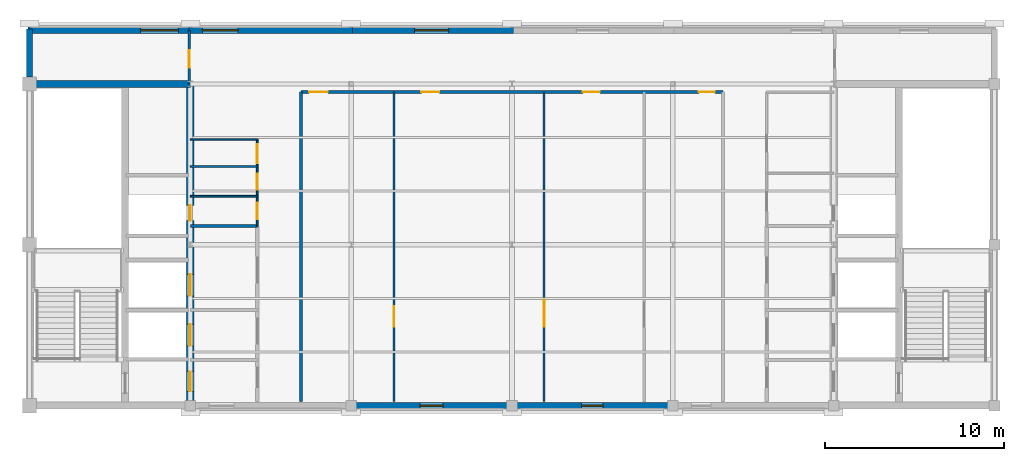
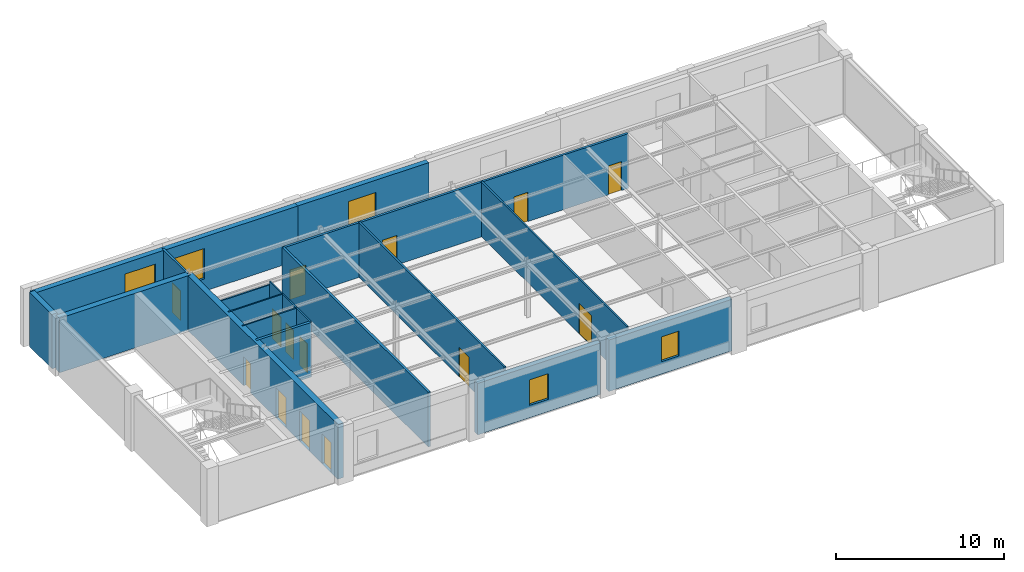
# One storey, part 4 of 7: 18 walls, 14 doors, 5 windows, 19 openings.
"""IFC4 building model written with IfcOpenShell, lengths in metres."""

from ifc_helpers import new_model, si_unit, direction, frame, frame_2d, origin, place, context, subcontext, project, spatial, rectangle, extrude, material, layer, layer_set, type_object, element, fill, save


model = new_model("IFC4")

# Units and contexts
model_context = context("Model", 3, precision=1e-05, world=origin(), true_north=direction((0.0, 1.0)))
body_context = subcontext(model_context, "Body", "Model", "MODEL_VIEW")
ifc_project = project(units=[si_unit("LENGTHUNIT", "METRE"), si_unit("AREAUNIT", "SQUARE_METRE"), si_unit("VOLUMEUNIT", "CUBIC_METRE"), si_unit("PLANEANGLEUNIT", "RADIAN"), si_unit("MASSUNIT", "GRAM", prefix="KILO")], contexts=[model_context])

# Site, building, storey
site_placement = place(None, origin())
site = spatial("IfcSite", under=ifc_project, at=site_placement, CompositionType="ELEMENT")
building_placement = place(site_placement, origin())
building = spatial("IfcBuilding", under=site, at=building_placement, Name="Lykobir Media Centre", CompositionType="ELEMENT")
storey_placement = place(building_placement, frame((0.0, 0.0, 31.800048828125)))
storey = spatial("IfcBuildingStorey", under=building, at=storey_placement, Name="L07", CompositionType="ELEMENT", Elevation=31.800048828125)

# Wall, opening, window
ifc_material_1 = material(Name="Architectural Ochre Brick", Category="masonry")
ifc_layer_1 = layer(ifc_material_1, 0.360107421875, Name="Architectural Ochre Brick")
ifc_layer_set_1 = layer_set([ifc_layer_1], Name="Architectural Ochre Brick")
wall_type_1 = type_object("IfcWallType", Name="EW-BRK-360", PredefinedType="STANDARD", material=ifc_layer_set_1)
wall_1_placement = place(storey_placement, frame((36.074951171875, 21.0, 0.0), z_axis=(0.0, 0.0, 1.0), x_axis=(-1.0, 0.0, 0.0)))
wall_1 = element("IfcWall", 1, at=wall_1_placement, inside=storey, type_object=wall_type_1, Name="Exterior wall WALL-L07-0361", PredefinedType="STANDARD", context=body_context, shape_type="SweptSolid", body=[
    extrude(rectangle(XDim=9.14990234375, YDim=0.360107421875, at=frame_2d((4.574951171875, 0.0))), origin(), (0.0, 0.0, 1.0), 3.93994140625),
])
opening_1_placement = place(wall_1_placement, frame((0.75, 0.0, 0.89990234375)))
opening_1 = element("IfcOpeningElement", 2, at=opening_1_placement, cuts=wall_1, Name="Opening WN-2100x2250", PredefinedType="OPENING", context=body_context, shape_type="SweptSolid", body=[
    extrude(rectangle(XDim=2.10009765625, YDim=2.25, at=frame_2d((1.050048828125, 1.125))), frame((0.0, 0.18994140625, 0.0), z_axis=(0.0, -1.0, 0.0), x_axis=(1.0, 0.0, 0.0)), (0.0, 0.0, 1.0), 0.380126953125),
])
ifc_material_2 = material(Name="Low-E Laminated Triple Glazing", Category="glass")
window_type_1 = type_object("IfcWindowType", Name="WN-2100x2250", PartitioningType="SINGLE_PANEL", PredefinedType="WINDOW", material=ifc_material_2)
window_1_placement = place(opening_1_placement, origin())
window_1 = element("IfcWindow", 3, at=window_1_placement, inside=storey, type_object=window_type_1, Name="Window WIN-L07-0163", OverallHeight=2.25, OverallWidth=2.10009765625, PartitioningType="SINGLE_PANEL", PredefinedType="WINDOW", context=body_context, shape_type="SweptSolid", body=[
    extrude(rectangle(XDim=2.10009765625, YDim=2.25, at=frame_2d((1.050048828125, 1.125))), frame((0.0, 0.030029296875, 0.0), z_axis=(0.0, -1.0, 0.0), x_axis=(1.0, 0.0, 0.0)), (0.0, 0.0, 1.0), 0.06005859375),
])
fill(opening_1, window_1)

wall_2_placement = place(storey_placement, frame((45.074951171875, 21.0, 0.0), z_axis=(0.0, 0.0, 1.0), x_axis=(-1.0, 0.0, 0.0)))
wall_2 = element("IfcWall", 4, at=wall_2_placement, inside=storey, type_object=wall_type_1, Name="Exterior wall WALL-L07-0362", PredefinedType="STANDARD", context=body_context, shape_type="SweptSolid", body=[
    extrude(rectangle(XDim=9.14990234375, YDim=0.360107421875, at=frame_2d((4.574951171875, 0.0))), origin(), (0.0, 0.0, 1.0), 3.93994140625),
])
opening_2_placement = place(wall_2_placement, frame((6.39990234375, 0.0, 0.89990234375)))
opening_2 = element("IfcOpeningElement", 5, at=opening_2_placement, cuts=wall_2, Name="Opening WN-2000x2200", PredefinedType="OPENING", context=body_context, shape_type="SweptSolid", body=[
    extrude(rectangle(XDim=2.0, YDim=2.199951171875, at=frame_2d((1.0, 1.10009765625))), frame((0.0, 0.18994140625, 0.0), z_axis=(0.0, -1.0, 0.0), x_axis=(1.0, 0.0, 0.0)), (0.0, 0.0, 1.0), 0.380126953125),
])
window_type_2 = type_object("IfcWindowType", Name="WN-2000x2200", PartitioningType="SINGLE_PANEL", PredefinedType="WINDOW", material=ifc_material_2)
window_2_placement = place(opening_2_placement, origin())
window_2 = element("IfcWindow", 6, at=window_2_placement, inside=storey, type_object=window_type_2, Name="Window WIN-L07-0164", OverallHeight=2.199951171875, OverallWidth=2.0, PartitioningType="SINGLE_PANEL", PredefinedType="WINDOW", context=body_context, shape_type="SweptSolid", body=[
    extrude(rectangle(XDim=2.0, YDim=2.199951171875, at=frame_2d((1.0, 1.10009765625))), frame((0.0, 0.030029296875, 0.0), z_axis=(0.0, -1.0, 0.0), x_axis=(1.0, 0.0, 0.0)), (0.0, 0.0, 1.0), 0.06005859375),
])
fill(opening_2, window_2)

wall_3_placement = place(storey_placement, frame((54.074951171875, 21.0, 0.0), z_axis=(0.0, 0.0, 1.0), x_axis=(-1.0, 0.0, 0.0)))
wall_3 = element("IfcWall", 7, at=wall_3_placement, inside=storey, type_object=wall_type_1, Name="Exterior wall WALL-L07-0363", PredefinedType="STANDARD", context=body_context, shape_type="SweptSolid", body=[
    extrude(rectangle(XDim=9.14990234375, YDim=0.360107421875, at=frame_2d((4.574951171875, 0.0))), origin(), (0.0, 0.0, 1.0), 3.93994140625),
])
opening_3_placement = place(wall_3_placement, frame((3.625, 0.0, 0.89990234375)))
opening_3 = element("IfcOpeningElement", 8, at=opening_3_placement, cuts=wall_3, Name="Opening WN-1900x2150", PredefinedType="OPENING", context=body_context, shape_type="SweptSolid", body=[
    extrude(rectangle(XDim=1.89990234375, YDim=2.14990234375, at=frame_2d((0.949951171875, 1.074951171875))), frame((0.0, 0.18994140625, 0.0), z_axis=(0.0, -1.0, 0.0), x_axis=(1.0, 0.0, 0.0)), (0.0, 0.0, 1.0), 0.380126953125),
])
window_type_3 = type_object("IfcWindowType", Name="WN-1900x2150", PartitioningType="SINGLE_PANEL", PredefinedType="WINDOW", material=ifc_material_2)
window_3_placement = place(opening_3_placement, origin())
window_3 = element("IfcWindow", 9, at=window_3_placement, inside=storey, type_object=window_type_3, Name="Window WIN-L07-0165", OverallHeight=2.14990234375, OverallWidth=1.89990234375, PartitioningType="SINGLE_PANEL", PredefinedType="WINDOW", context=body_context, shape_type="SweptSolid", body=[
    extrude(rectangle(XDim=1.89990234375, YDim=2.14990234375, at=frame_2d((0.949951171875, 1.074951171875))), frame((0.0, 0.030029296875, 0.0), z_axis=(0.0, -1.0, 0.0), x_axis=(1.0, 0.0, 0.0)), (0.0, 0.0, 1.0), 0.06005859375),
])
fill(opening_3, window_3)

# Wall
wall_4_placement = place(storey_placement, frame((27.0, 21.074951171875, 0.0), z_axis=(0.0, 0.0, 1.0), x_axis=(0.0, -1.0, 0.0)))
element("IfcWall", 10, at=wall_4_placement, inside=storey, type_object=wall_type_1, Name="Exterior wall WALL-L07-0367", PredefinedType="STANDARD", context=body_context, shape_type="SweptSolid", body=[
    extrude(rectangle(XDim=2.68994140625, YDim=0.360107421875, at=frame_2d((1.344970703125, 0.0))), origin(), (0.0, 0.0, 1.0), 3.93994140625),
])

# Wall, opening, window
wall_5_placement = place(storey_placement, frame((45.284912109375, 0.0, 0.0), z_axis=(0.0, 0.0, 1.0), x_axis=(1.0, 0.0, 0.0)))
wall_5 = element("IfcWall", 11, at=wall_5_placement, inside=storey, type_object=wall_type_1, Name="Exterior wall WALL-L07-0369", PredefinedType="STANDARD", context=body_context, shape_type="SweptSolid", body=[
    extrude(rectangle(XDim=8.43017578125, YDim=0.360107421875, at=frame_2d((4.215087890625, 0.0))), origin(), (0.0, 0.0, 1.0), 3.73486328125),
])
opening_4_placement = place(wall_5_placement, frame((3.56494140625, 0.0, 0.89990234375)))
opening_4 = element("IfcOpeningElement", 12, at=opening_4_placement, cuts=wall_5, Name="Opening WN-1300x1850", PredefinedType="OPENING", context=body_context, shape_type="SweptSolid", body=[
    extrude(rectangle(XDim=1.300048828125, YDim=1.85009765625, at=frame_2d((0.64990234375, 0.925048828125))), frame((0.0, 0.18994140625, 0.0), z_axis=(0.0, -1.0, 0.0), x_axis=(1.0, 0.0, 0.0)), (0.0, 0.0, 1.0), 0.380126953125),
])
window_type_4 = type_object("IfcWindowType", Name="WN-1300x1850", PartitioningType="SINGLE_PANEL", PredefinedType="WINDOW", material=ifc_material_2)
window_4_placement = place(opening_4_placement, origin())
window_4 = element("IfcWindow", 13, at=window_4_placement, inside=storey, type_object=window_type_4, Name="Window WIN-L07-0170", OverallHeight=1.85009765625, OverallWidth=1.300048828125, PartitioningType="SINGLE_PANEL", PredefinedType="WINDOW", context=body_context, shape_type="SweptSolid", body=[
    extrude(rectangle(XDim=1.300048828125, YDim=1.85009765625, at=frame_2d((0.64990234375, 0.925048828125))), frame((0.0, 0.030029296875, 0.0), z_axis=(0.0, -1.0, 0.0), x_axis=(1.0, 0.0, 0.0)), (0.0, 0.0, 1.0), 0.06005859375),
])
fill(opening_4, window_4)

wall_6_placement = place(storey_placement, frame((54.284912109375, 0.0, 0.0), z_axis=(0.0, 0.0, 1.0), x_axis=(1.0, 0.0, 0.0)))
wall_6 = element("IfcWall", 14, at=wall_6_placement, inside=storey, type_object=wall_type_1, Name="Exterior wall WALL-L07-0370", PredefinedType="STANDARD", context=body_context, shape_type="SweptSolid", body=[
    extrude(rectangle(XDim=8.43017578125, YDim=0.360107421875, at=frame_2d((4.215087890625, 0.0))), origin(), (0.0, 0.0, 1.0), 3.73486328125),
])
opening_5_placement = place(wall_6_placement, frame((3.614990234375, 0.0, 0.89990234375)))
opening_5 = element("IfcOpeningElement", 15, at=opening_5_placement, cuts=wall_6, Name="Opening WN-1200x1800", PredefinedType="OPENING", context=body_context, shape_type="SweptSolid", body=[
    extrude(rectangle(XDim=1.199951171875, YDim=1.800048828125, at=frame_2d((0.60009765625, 0.89990234375))), frame((0.0, 0.18994140625, 0.0), z_axis=(0.0, -1.0, 0.0), x_axis=(1.0, 0.0, 0.0)), (0.0, 0.0, 1.0), 0.380126953125),
])
window_type_5 = type_object("IfcWindowType", Name="WN-1200x1800", PartitioningType="SINGLE_PANEL", PredefinedType="WINDOW", material=ifc_material_2)
window_5_placement = place(opening_5_placement, origin())
window_5 = element("IfcWindow", 16, at=window_5_placement, inside=storey, type_object=window_type_5, Name="Window WIN-L07-0171", OverallHeight=1.800048828125, OverallWidth=1.199951171875, PartitioningType="SINGLE_PANEL", PredefinedType="WINDOW", context=body_context, shape_type="SweptSolid", body=[
    extrude(rectangle(XDim=1.199951171875, YDim=1.800048828125, at=frame_2d((0.60009765625, 0.89990234375))), frame((0.0, 0.030029296875, 0.0), z_axis=(0.0, -1.0, 0.0), x_axis=(1.0, 0.0, 0.0)), (0.0, 0.0, 1.0), 0.06005859375),
])
fill(opening_5, window_5)

# Wall, opening, door
ifc_material_3 = material(Name="Acoustic Gypsum Board", Category="gypsum")
ifc_layer_2 = layer(ifc_material_3, 0.14501953125, Name="Acoustic Gypsum Board")
ifc_layer_set_2 = layer_set([ifc_layer_2], Name="Acoustic Gypsum Board")
wall_type_2 = type_object("IfcWallType", Name="IW-COR-145", PredefinedType="PARTITIONING", material=ifc_layer_set_2)
wall_7_placement = place(storey_placement, frame((35.949951171875, 18.0, 0.0), z_axis=(0.0, 0.0, 1.0), x_axis=(0.0, 1.0, 0.0)))
wall_7 = element("IfcWall", 17, at=wall_7_placement, inside=storey, type_object=wall_type_2, Name="Wall IWALL-L07-0786", PredefinedType="PARTITIONING", context=body_context, shape_type="SweptSolid", body=[
    extrude(rectangle(XDim=3.0, YDim=0.14501953125, at=frame_2d((1.5, 0.0))), origin(), (0.0, 0.0, 1.0), 3.9599609375),
])
opening_6_placement = place(wall_7_placement, frame((0.89990234375, 0.0, 0.0)))
opening_6 = element("IfcOpeningElement", 18, at=opening_6_placement, cuts=wall_7, Name="Opening D-L07-ENDW", PredefinedType="OPENING", context=body_context, shape_type="SweptSolid", body=[
    extrude(rectangle(XDim=1.0, YDim=2.139892578125, at=frame_2d((0.5, 1.06982421875))), frame((0.0, 0.08251953125, 0.0), z_axis=(0.0, -1.0, 0.0), x_axis=(1.0, 0.0, 0.0)), (0.0, 0.0, 1.0), 0.1650390625),
])
ifc_material_4 = material(Name="Acoustic Timber Panelling", Category="wood")
door_type_1 = type_object("IfcDoorType", Name="FD-1000x2140", OperationType="NOTDEFINED", PredefinedType="DOOR", material=ifc_material_4)
door_1_placement = place(opening_6_placement, origin())
door_1 = element("IfcDoor", 19, at=door_1_placement, inside=storey, type_object=door_type_1, Name="Door D-L07-ENDW", OperationType="SINGLE_SWING_RIGHT", OverallHeight=2.139892578125, OverallWidth=1.0, PredefinedType="DOOR", context=body_context, shape_type="SweptSolid", body=[
    extrude(rectangle(XDim=1.0, YDim=2.139892578125, at=frame_2d((0.5, 1.06982421875))), frame((0.0, 0.02490234375, 0.0), z_axis=(0.0, -1.0, 0.0), x_axis=(1.0, 0.0, 0.0)), (0.0, 0.0, 1.0), 0.050048828125),
])
fill(opening_6, door_1)

# Wall, openings, doors
ifc_layer_3 = layer(ifc_material_3, 0.159912109375, Name="Acoustic Gypsum Board")
ifc_layer_set_3 = layer_set([ifc_layer_3], Name="Acoustic Gypsum Board")
wall_type_3 = type_object("IfcWallType", Name="IW-COR-160", PredefinedType="PARTITIONING", material=ifc_layer_set_3)
wall_8_placement = place(storey_placement, frame((42.199951171875, 17.550048828125, 0.0), z_axis=(0.0, 0.0, 1.0), x_axis=(1.0, 0.0, 0.0)))
wall_8 = element("IfcWall", 20, at=wall_8_placement, inside=storey, type_object=wall_type_3, Name="Wall IWALL-L07-0780", PredefinedType="PARTITIONING", context=body_context, shape_type="SweptSolid", body=[
    extrude(rectangle(XDim=23.60009765625, YDim=0.159912109375, at=frame_2d((11.800048828125, 0.0))), origin(), (0.0, 0.0, 1.0), 3.9599609375),
])
opening_7_placement = place(wall_8_placement, frame((0.449951171875, 0.0, 0.0)))
opening_7 = element("IfcOpeningElement", 21, at=opening_7_placement, cuts=wall_8, Name="Opening D-L07-V7R1", PredefinedType="OPENING", context=body_context, shape_type="SweptSolid", body=[
    extrude(rectangle(XDim=1.050048828125, YDim=2.14990234375, at=frame_2d((0.52490234375, 1.074951171875))), frame((0.0, 0.08984375, 0.0), z_axis=(0.0, -1.0, 0.0), x_axis=(1.0, 0.0, 0.0)), (0.0, 0.0, 1.0), 0.179931640625),
])
opening_8_placement = place(wall_8_placement, frame((6.73291015625, 0.0, 0.0)))
opening_8 = element("IfcOpeningElement", 22, at=opening_8_placement, cuts=wall_8, Name="Opening D-L07-V7R2", PredefinedType="OPENING", context=body_context, shape_type="SweptSolid", body=[
    extrude(rectangle(XDim=1.0, YDim=2.139892578125, at=frame_2d((0.5, 1.06982421875))), frame((0.0, 0.08984375, 0.0), z_axis=(0.0, -1.0, 0.0), x_axis=(1.0, 0.0, 0.0)), (0.0, 0.0, 1.0), 0.179931640625),
])
opening_9_placement = place(wall_8_placement, frame((15.76904296875, 0.0, 0.0)))
opening_9 = element("IfcOpeningElement", 23, at=opening_9_placement, cuts=wall_8, Name="Opening D-L07-V7R3", PredefinedType="OPENING", context=body_context, shape_type="SweptSolid", body=[
    extrude(rectangle(XDim=0.949951171875, YDim=2.1201171875, at=frame_2d((0.47509765625, 1.06005859375))), frame((0.0, 0.08984375, 0.0), z_axis=(0.0, -1.0, 0.0), x_axis=(1.0, 0.0, 0.0)), (0.0, 0.0, 1.0), 0.179931640625),
])
opening_10_placement = place(wall_8_placement, frame((22.25, 0.0, 0.0)))
opening_10 = element("IfcOpeningElement", 24, at=opening_10_placement, cuts=wall_8, Name="Opening D-L07-V7R4", PredefinedType="OPENING", context=body_context, shape_type="SweptSolid", body=[
    extrude(rectangle(XDim=0.89990234375, YDim=2.10009765625, at=frame_2d((0.449951171875, 1.050048828125))), frame((0.0, 0.08984375, 0.0), z_axis=(0.0, -1.0, 0.0), x_axis=(1.0, 0.0, 0.0)), (0.0, 0.0, 1.0), 0.179931640625),
])
door_type_2 = type_object("IfcDoorType", Name="FD-0900x2100", OperationType="NOTDEFINED", PredefinedType="DOOR", material=ifc_material_4)
door_2_placement = place(opening_10_placement, origin())
door_2 = element("IfcDoor", 25, at=door_2_placement, inside=storey, type_object=door_type_2, Name="Door D-L07-V7R4", OperationType="SINGLE_SWING_LEFT", OverallHeight=2.10009765625, OverallWidth=0.89990234375, PredefinedType="DOOR", context=body_context, shape_type="SweptSolid", body=[
    extrude(rectangle(XDim=0.89990234375, YDim=2.10009765625, at=frame_2d((0.449951171875, 1.050048828125))), frame((0.0, 0.02490234375, 0.0), z_axis=(0.0, -1.0, 0.0), x_axis=(1.0, 0.0, 0.0)), (0.0, 0.0, 1.0), 0.050048828125),
])
fill(opening_10, door_2)
door_type_3 = type_object("IfcDoorType", Name="FD-0950x2120", OperationType="NOTDEFINED", PredefinedType="DOOR", material=ifc_material_4)
door_3_placement = place(opening_9_placement, origin())
door_3 = element("IfcDoor", 26, at=door_3_placement, inside=storey, type_object=door_type_3, Name="Door D-L07-V7R3", OperationType="SINGLE_SWING_LEFT", OverallHeight=2.1201171875, OverallWidth=0.949951171875, PredefinedType="DOOR", context=body_context, shape_type="SweptSolid", body=[
    extrude(rectangle(XDim=0.949951171875, YDim=2.1201171875, at=frame_2d((0.47509765625, 1.06005859375))), frame((0.0, 0.02490234375, 0.0), z_axis=(0.0, -1.0, 0.0), x_axis=(1.0, 0.0, 0.0)), (0.0, 0.0, 1.0), 0.050048828125),
])
fill(opening_9, door_3)
door_4_placement = place(opening_8_placement, origin())
door_4 = element("IfcDoor", 27, at=door_4_placement, inside=storey, type_object=door_type_1, Name="Door D-L07-V7R2", OperationType="SINGLE_SWING_LEFT", OverallHeight=2.139892578125, OverallWidth=1.0, PredefinedType="DOOR", context=body_context, shape_type="SweptSolid", body=[
    extrude(rectangle(XDim=1.0, YDim=2.139892578125, at=frame_2d((0.5, 1.06982421875))), frame((0.0, 0.02490234375, 0.0), z_axis=(0.0, -1.0, 0.0), x_axis=(1.0, 0.0, 0.0)), (0.0, 0.0, 1.0), 0.050048828125),
])
fill(opening_8, door_4)
door_type_4 = type_object("IfcDoorType", Name="FD-1050x2150", OperationType="NOTDEFINED", PredefinedType="DOOR", material=ifc_material_4)
door_5_placement = place(opening_7_placement, origin())
door_5 = element("IfcDoor", 28, at=door_5_placement, inside=storey, type_object=door_type_4, Name="Door D-L07-V7R1", OperationType="SINGLE_SWING_LEFT", OverallHeight=2.14990234375, OverallWidth=1.050048828125, PredefinedType="DOOR", context=body_context, shape_type="SweptSolid", body=[
    extrude(rectangle(XDim=1.050048828125, YDim=2.14990234375, at=frame_2d((0.52490234375, 1.074951171875))), frame((0.0, 0.02490234375, 0.0), z_axis=(0.0, -1.0, 0.0), x_axis=(1.0, 0.0, 0.0)), (0.0, 0.0, 1.0), 0.050048828125),
])
fill(opening_7, door_5)

# Walls
wall_9_placement = place(storey_placement, frame((42.199951171875, 0.219970703125, 0.0), z_axis=(0.0, 0.0, 1.0), x_axis=(0.0, 1.0, 0.0)))
element("IfcWall", 29, at=wall_9_placement, inside=storey, type_object=wall_type_3, Name="Wall IWALL-L07-0781", PredefinedType="PARTITIONING", context=body_context, shape_type="SweptSolid", body=[
    extrude(rectangle(XDim=17.330078125, YDim=0.159912109375, at=frame_2d((8.6650390625, 0.0))), origin(), (0.0, 0.0, 1.0), 3.9599609375),
])
ifc_layer_4 = layer(ifc_material_3, 0.179931640625, Name="Acoustic Gypsum Board")
ifc_layer_set_4 = layer_set([ifc_layer_4], Name="Acoustic Gypsum Board")
wall_type_4 = type_object("IfcWallType", Name="IW-FFLOB-180", PredefinedType="PARTITIONING", material=ifc_layer_set_4)
wall_10_placement = place(storey_placement, frame((36.0, 10.050048828125, 0.0), z_axis=(0.0, 0.0, 1.0), x_axis=(1.0, 0.0, 0.0)))
element("IfcWall", 30, at=wall_10_placement, inside=storey, type_object=wall_type_4, Name="Wall IWALL-L07-0158", PredefinedType="PARTITIONING", context=body_context, shape_type="SweptSolid", body=[
    extrude(rectangle(XDim=3.75, YDim=0.179931640625, at=frame_2d((1.875, 0.0))), origin(), (0.0, 0.0, 1.0), 3.9599609375),
])

# Wall, opening, door
ifc_layer_5 = layer(ifc_material_3, 0.110107421875, Name="Acoustic Gypsum Board")
ifc_layer_set_5 = layer_set([ifc_layer_5], Name="Acoustic Gypsum Board")
wall_type_5 = type_object("IfcWallType", Name="IW-RM-110", PredefinedType="PARTITIONING", material=ifc_layer_set_5)
wall_11_placement = place(storey_placement, frame((55.800048828125, 0.219970703125, 0.0), z_axis=(0.0, 0.0, 1.0), x_axis=(0.0, 1.0, 0.0)))
wall_11 = element("IfcWall", 31, at=wall_11_placement, inside=storey, type_object=wall_type_5, Name="Wall IWALL-L07-0784", PredefinedType="PARTITIONING", context=body_context, shape_type="SweptSolid", body=[
    extrude(rectangle(XDim=17.330078125, YDim=0.110107421875, at=frame_2d((8.6650390625, 0.0))), origin(), (0.0, 0.0, 1.0), 3.9599609375),
])
opening_11_placement = place(wall_11_placement, frame((4.199951171875, 0.0, 0.0)))
opening_11 = element("IfcOpeningElement", 32, at=opening_11_placement, cuts=wall_11, Name="Opening D-L07-V7S2", PredefinedType="OPENING", context=body_context, shape_type="SweptSolid", body=[
    extrude(rectangle(XDim=1.5, YDim=2.199951171875, at=frame_2d((0.75, 1.10009765625))), frame((0.0, 0.06494140625, 0.0), z_axis=(0.0, -1.0, 0.0), x_axis=(1.0, 0.0, 0.0)), (0.0, 0.0, 1.0), 0.130126953125),
])
door_type_5 = type_object("IfcDoorType", Name="ID-1500x2200", OperationType="NOTDEFINED", PredefinedType="DOOR", material=ifc_material_4)
door_6_placement = place(opening_11_placement, origin())
door_6 = element("IfcDoor", 33, at=door_6_placement, inside=storey, type_object=door_type_5, Name="Door D-L07-V7S2", OperationType="SINGLE_SWING_RIGHT", OverallHeight=2.199951171875, OverallWidth=1.5, PredefinedType="DOOR", context=body_context, shape_type="SweptSolid", body=[
    extrude(rectangle(XDim=1.5, YDim=2.199951171875, at=frame_2d((0.75, 1.10009765625))), frame((0.0, 0.02490234375, 0.0), z_axis=(0.0, -1.0, 0.0), x_axis=(1.0, 0.0, 0.0)), (0.0, 0.0, 1.0), 0.050048828125),
])
fill(opening_11, door_6)

ifc_layer_6 = layer(ifc_material_3, 0.125, Name="Acoustic Gypsum Board")
ifc_layer_set_6 = layer_set([ifc_layer_6], Name="Acoustic Gypsum Board")
wall_type_6 = type_object("IfcWallType", Name="IW-RM-125", PredefinedType="PARTITIONING", material=ifc_layer_set_6)
wall_12_placement = place(storey_placement, frame((47.39990234375, 0.219970703125, 0.0), z_axis=(0.0, 0.0, 1.0), x_axis=(0.0, 1.0, 0.0)))
wall_12 = element("IfcWall", 34, at=wall_12_placement, inside=storey, type_object=wall_type_6, Name="Wall IWALL-L07-0783", PredefinedType="PARTITIONING", context=body_context, shape_type="SweptSolid", body=[
    extrude(rectangle(XDim=17.330078125, YDim=0.125, at=frame_2d((8.6650390625, 0.0))), origin(), (0.0, 0.0, 1.0), 3.9599609375),
])
opening_12_placement = place(wall_12_placement, frame((4.199951171875, 0.0, 0.0)))
opening_12 = element("IfcOpeningElement", 35, at=opening_12_placement, cuts=wall_12, Name="Opening D-L07-V7S1", PredefinedType="OPENING", context=body_context, shape_type="SweptSolid", body=[
    extrude(rectangle(XDim=1.14990234375, YDim=2.14990234375, at=frame_2d((0.574951171875, 1.074951171875))), frame((0.0, 0.072509765625, 0.0), z_axis=(0.0, -1.0, 0.0), x_axis=(1.0, 0.0, 0.0)), (0.0, 0.0, 1.0), 0.14501953125),
])
door_type_6 = type_object("IfcDoorType", Name="ID-1150x2150", OperationType="NOTDEFINED", PredefinedType="DOOR", material=ifc_material_4)
door_7_placement = place(opening_12_placement, origin())
door_7 = element("IfcDoor", 36, at=door_7_placement, inside=storey, type_object=door_type_6, Name="Door D-L07-V7S1", OperationType="SINGLE_SWING_RIGHT", OverallHeight=2.14990234375, OverallWidth=1.14990234375, PredefinedType="DOOR", context=body_context, shape_type="SweptSolid", body=[
    extrude(rectangle(XDim=1.14990234375, YDim=2.14990234375, at=frame_2d((0.574951171875, 1.074951171875))), frame((0.0, 0.02490234375, 0.0), z_axis=(0.0, -1.0, 0.0), x_axis=(1.0, 0.0, 0.0)), (0.0, 0.0, 1.0), 0.050048828125),
])
fill(opening_12, door_7)

# Wall, openings, doors
ifc_layer_7 = layer(ifc_material_3, 0.094970703125, Name="Acoustic Gypsum Board")
ifc_layer_set_7 = layer_set([ifc_layer_7], Name="Acoustic Gypsum Board")
wall_type_7 = type_object("IfcWallType", Name="IW-WC-095", PredefinedType="PARTITIONING", material=ifc_layer_set_7)
wall_13_placement = place(storey_placement, frame((39.75, 10.050048828125, 0.0), z_axis=(0.0, 0.0, 1.0), x_axis=(0.0, 1.0, 0.0)))
wall_13 = element("IfcWall", 37, at=wall_13_placement, inside=storey, type_object=wall_type_7, Name="Wall IWALL-L07-0159", PredefinedType="PARTITIONING", context=body_context, shape_type="SweptSolid", body=[
    extrude(rectangle(XDim=4.849853515625, YDim=0.094970703125, at=frame_2d((2.4248046875, 0.0))), origin(), (0.0, 0.0, 1.0), 3.9599609375),
])
opening_13_placement = place(wall_13_placement, frame((0.3798828125, 0.0, 0.0)))
opening_13 = element("IfcOpeningElement", 38, at=opening_13_placement, cuts=wall_13, Name="Opening D-L07-WCM", PredefinedType="OPENING", context=body_context, shape_type="SweptSolid", body=[
    extrude(rectangle(XDim=0.919921875, YDim=2.10009765625, at=frame_2d((0.4599609375, 1.050048828125))), frame((0.0, 0.057373046875, 0.0), z_axis=(0.0, -1.0, 0.0), x_axis=(1.0, 0.0, 0.0)), (0.0, 0.0, 1.0), 0.114990234375),
])
opening_14_placement = place(wall_13_placement, frame((2.02001953125, 0.0, 0.0)))
opening_14 = element("IfcOpeningElement", 39, at=opening_14_placement, cuts=wall_13, Name="Opening D-L07-WCF", PredefinedType="OPENING", context=body_context, shape_type="SweptSolid", body=[
    extrude(rectangle(XDim=0.919921875, YDim=2.10009765625, at=frame_2d((0.4599609375, 1.050048828125))), frame((0.0, 0.057373046875, 0.0), z_axis=(0.0, -1.0, 0.0), x_axis=(1.0, 0.0, 0.0)), (0.0, 0.0, 1.0), 0.114990234375),
])
opening_15_placement = place(wall_13_placement, frame((3.52001953125, 0.0, 0.0)))
opening_15 = element("IfcOpeningElement", 40, at=opening_15_placement, cuts=wall_13, Name="Opening D-L07-WCA1", PredefinedType="OPENING", context=body_context, shape_type="SweptSolid", body=[
    extrude(rectangle(XDim=1.050048828125, YDim=2.1298828125, at=frame_2d((0.52490234375, 1.06494140625))), frame((0.0, 0.057373046875, 0.0), z_axis=(0.0, -1.0, 0.0), x_axis=(1.0, 0.0, 0.0)), (0.0, 0.0, 1.0), 0.114990234375),
])
door_type_7 = type_object("IfcDoorType", Name="ID-0920x2100", OperationType="NOTDEFINED", PredefinedType="DOOR", material=ifc_material_4)
door_8_placement = place(opening_13_placement, origin())
door_8 = element("IfcDoor", 41, at=door_8_placement, inside=storey, type_object=door_type_7, Name="Door D-L07-WCM", OperationType="SINGLE_SWING_LEFT", OverallHeight=2.10009765625, OverallWidth=0.919921875, PredefinedType="DOOR", context=body_context, shape_type="SweptSolid", body=[
    extrude(rectangle(XDim=0.919921875, YDim=2.10009765625, at=frame_2d((0.4599609375, 1.050048828125))), frame((0.0, 0.02490234375, 0.0), z_axis=(0.0, -1.0, 0.0), x_axis=(1.0, 0.0, 0.0)), (0.0, 0.0, 1.0), 0.050048828125),
])
fill(opening_13, door_8)
door_9_placement = place(opening_14_placement, origin())
door_9 = element("IfcDoor", 42, at=door_9_placement, inside=storey, type_object=door_type_7, Name="Door D-L07-WCF", OperationType="SINGLE_SWING_RIGHT", OverallHeight=2.10009765625, OverallWidth=0.919921875, PredefinedType="DOOR", context=body_context, shape_type="SweptSolid", body=[
    extrude(rectangle(XDim=0.919921875, YDim=2.10009765625, at=frame_2d((0.4599609375, 1.050048828125))), frame((0.0, 0.02490234375, 0.0), z_axis=(0.0, -1.0, 0.0), x_axis=(1.0, 0.0, 0.0)), (0.0, 0.0, 1.0), 0.050048828125),
])
fill(opening_14, door_9)
door_type_8 = type_object("IfcDoorType", Name="ID-1050x2130", OperationType="NOTDEFINED", PredefinedType="DOOR", material=ifc_material_4)
door_10_placement = place(opening_15_placement, origin())
door_10 = element("IfcDoor", 43, at=door_10_placement, inside=storey, type_object=door_type_8, Name="Door D-L07-WCA1", OperationType="SINGLE_SWING_LEFT", OverallHeight=2.1298828125, OverallWidth=1.050048828125, PredefinedType="DOOR", context=body_context, shape_type="SweptSolid", body=[
    extrude(rectangle(XDim=1.050048828125, YDim=2.1298828125, at=frame_2d((0.52490234375, 1.06494140625))), frame((0.0, 0.02490234375, 0.0), z_axis=(0.0, -1.0, 0.0), x_axis=(1.0, 0.0, 0.0)), (0.0, 0.0, 1.0), 0.050048828125),
])
fill(opening_15, door_10)

# Walls
for number, where, z_axis, x_axis, name in (
    (44, (36.0, 11.719970703125, 0.0), (0.0, 0.0, 1.0), (1.0, 0.0, 0.0), "Wall IWALL-L07-0160"),
    (45, (36.0, 13.3798828125, 0.0), (0.0, 0.0, 1.0), (1.0, 0.0, 0.0), "Wall IWALL-L07-0161"),
):
    element("IfcWall", number, at=place(storey_placement, frame(where, z_axis=z_axis, x_axis=x_axis)), inside=storey, type_object=wall_type_7, Name=name, PredefinedType="PARTITIONING", context=body_context, shape_type="SweptSolid", body=[
        extrude(rectangle(XDim=3.75, YDim=0.094970703125, at=frame_2d((1.875, 0.0))), origin(), (0.0, 0.0, 1.0), 3.9599609375),
    ])
wall_14_placement = place(storey_placement, frame((36.0, 14.89990234375, 0.0), z_axis=(0.0, 0.0, 1.0), x_axis=(1.0, 0.0, 0.0)))
element("IfcWall", 46, at=wall_14_placement, inside=storey, type_object=wall_type_7, Name="Wall IWALL-L07-0162", PredefinedType="PARTITIONING", context=body_context, shape_type="SweptSolid", body=[
    extrude(rectangle(XDim=3.75, YDim=0.094970703125, at=frame_2d((1.875, 0.0))), origin(), (0.0, 0.0, 1.0), 3.724853515625),
])

# Wall, openings, doors
ifc_material_5 = material(Name="Concrete C40/50", Category="concrete")
ifc_layer_8 = layer(ifc_material_5, 0.39990234375, Name="Concrete C40/50")
ifc_layer_set_8 = layer_set([ifc_layer_8], Name="Concrete C40/50")
wall_type_8 = type_object("IfcWallType", Name="SW-CORE-400", PredefinedType="SHEAR", material=ifc_layer_set_8)
wall_15_placement = place(storey_placement, frame((36.0, 0.0, 0.0), z_axis=(0.0, 0.0, 1.0), x_axis=(0.0, 1.0, 0.0)))
wall_15 = element("IfcWall", 47, at=wall_15_placement, inside=storey, type_object=wall_type_8, Name="Wall IWALL-L07-0146", PredefinedType="SHEAR", context=body_context, shape_type="SweptSolid", body=[
    extrude(rectangle(XDim=18.0, YDim=0.39990234375, at=frame_2d((9.0, 0.0))), origin(), (0.0, 0.0, 1.0), 3.9599609375),
])
opening_16_placement = place(wall_15_placement, frame((0.800048828125, 0.0, 0.0)))
opening_16 = element("IfcOpeningElement", 48, at=opening_16_placement, cuts=wall_15, Name="Opening D-L07-C1VB", PredefinedType="OPENING", context=body_context, shape_type="SweptSolid", body=[
    extrude(rectangle(XDim=1.10009765625, YDim=2.159912109375, at=frame_2d((0.550048828125, 1.080078125))), frame((0.0, 0.2099609375, 0.0), z_axis=(0.0, -1.0, 0.0), x_axis=(1.0, 0.0, 0.0)), (0.0, 0.0, 1.0), 0.419921875),
])
opening_17_placement = place(wall_15_placement, frame((3.35009765625, 0.0, 0.0)))
opening_17 = element("IfcOpeningElement", 49, at=opening_17_placement, cuts=wall_15, Name="Opening LD-L07-PL-1", PredefinedType="OPENING", context=body_context, shape_type="SweptSolid", body=[
    extrude(rectangle(XDim=1.199951171875, YDim=2.199951171875, at=frame_2d((0.60009765625, 1.10009765625))), frame((0.0, 0.2099609375, 0.0), z_axis=(0.0, -1.0, 0.0), x_axis=(1.0, 0.0, 0.0)), (0.0, 0.0, 1.0), 0.419921875),
])
opening_18_placement = place(wall_15_placement, frame((6.14990234375, 0.0, 0.0)))
opening_18 = element("IfcOpeningElement", 50, at=opening_18_placement, cuts=wall_15, Name="Opening LD-L07-FL-1", PredefinedType="OPENING", context=body_context, shape_type="SweptSolid", body=[
    extrude(rectangle(XDim=1.199951171875, YDim=2.199951171875, at=frame_2d((0.60009765625, 1.10009765625))), frame((0.0, 0.2099609375, 0.0), z_axis=(0.0, -1.0, 0.0), x_axis=(1.0, 0.0, 0.0)), (0.0, 0.0, 1.0), 0.419921875),
])
opening_19_placement = place(wall_15_placement, frame((10.35009765625, 0.0, 0.0)))
opening_19 = element("IfcOpeningElement", 51, at=opening_19_placement, cuts=wall_15, Name="Opening D-L07-C1RS", PredefinedType="OPENING", context=body_context, shape_type="SweptSolid", body=[
    extrude(rectangle(XDim=0.85009765625, YDim=2.10009765625, at=frame_2d((0.425048828125, 1.050048828125))), frame((0.0, 0.2099609375, 0.0), z_axis=(0.0, -1.0, 0.0), x_axis=(1.0, 0.0, 0.0)), (0.0, 0.0, 1.0), 0.419921875),
])
ifc_material_6 = material(Name="Anodized Aluminium AW-6060", Category="aluminium")
door_type_9 = type_object("IfcDoorType", Name="FD-0850x2100", OperationType="NOTDEFINED", PredefinedType="DOOR", material=ifc_material_6)
door_11_placement = place(opening_19_placement, origin())
door_11 = element("IfcDoor", 52, at=door_11_placement, inside=storey, type_object=door_type_9, Name="Riser access door C1 L07", OperationType="SINGLE_SWING_LEFT", OverallHeight=2.10009765625, OverallWidth=0.85009765625, PredefinedType="DOOR", context=body_context, shape_type="SweptSolid", body=[
    extrude(rectangle(XDim=0.85009765625, YDim=2.10009765625, at=frame_2d((0.425048828125, 1.050048828125))), frame((0.0, 0.02490234375, 0.0), z_axis=(0.0, -1.0, 0.0), x_axis=(1.0, 0.0, 0.0)), (0.0, 0.0, 1.0), 0.050048828125),
])
fill(opening_19, door_11)
door_type_10 = type_object("IfcDoorType", Name="FD-1100x2160", OperationType="NOTDEFINED", PredefinedType="DOOR", material=ifc_material_4)
door_12_placement = place(opening_16_placement, origin())
door_12 = element("IfcDoor", 53, at=door_12_placement, inside=storey, type_object=door_type_10, Name="Door D-L07-C1VB", OperationType="SINGLE_SWING_RIGHT", OverallHeight=2.159912109375, OverallWidth=1.10009765625, PredefinedType="DOOR", context=body_context, shape_type="SweptSolid", body=[
    extrude(rectangle(XDim=1.10009765625, YDim=2.159912109375, at=frame_2d((0.550048828125, 1.080078125))), frame((0.0, 0.02490234375, 0.0), z_axis=(0.0, -1.0, 0.0), x_axis=(1.0, 0.0, 0.0)), (0.0, 0.0, 1.0), 0.050048828125),
])
fill(opening_16, door_12)
door_type_11 = type_object("IfcDoorType", Name="LD-1200x2200", OperationType="NOTDEFINED", PredefinedType="DOOR", material=ifc_material_6)
door_13_placement = place(opening_17_placement, origin())
door_13 = element("IfcDoor", 54, at=door_13_placement, inside=storey, type_object=door_type_11, Name="Lift landing door PL-1 L07", OperationType="SLIDING_TO_LEFT", OverallHeight=2.199951171875, OverallWidth=1.199951171875, PredefinedType="DOOR", context=body_context, shape_type="SweptSolid", body=[
    extrude(rectangle(XDim=1.199951171875, YDim=2.199951171875, at=frame_2d((0.60009765625, 1.10009765625))), frame((0.0, 0.02490234375, 0.0), z_axis=(0.0, -1.0, 0.0), x_axis=(1.0, 0.0, 0.0)), (0.0, 0.0, 1.0), 0.050048828125),
])
fill(opening_17, door_13)
door_14_placement = place(opening_18_placement, origin())
door_14 = element("IfcDoor", 55, at=door_14_placement, inside=storey, type_object=door_type_11, Name="Firefighting lift landing door FL-1 L07", OperationType="SLIDING_TO_LEFT", OverallHeight=2.199951171875, OverallWidth=1.199951171875, PredefinedType="DOOR", context=body_context, shape_type="SweptSolid", body=[
    extrude(rectangle(XDim=1.199951171875, YDim=2.199951171875, at=frame_2d((0.60009765625, 1.10009765625))), frame((0.0, 0.02490234375, 0.0), z_axis=(0.0, -1.0, 0.0), x_axis=(1.0, 0.0, 0.0)), (0.0, 0.0, 1.0), 0.050048828125),
])
fill(opening_18, door_14)

# Wall
ifc_layer_9 = layer(ifc_material_5, 0.39990234375, Name="Concrete C40/50")
ifc_layer_set_9 = layer_set([ifc_layer_9], Name="Concrete C40/50")
wall_type_9 = type_object("IfcWallType", Name="SW-CORE-400-E", PredefinedType="SHEAR", material=ifc_layer_set_9)
wall_16_placement = place(storey_placement, frame((36.0, 18.0, 0.0), z_axis=(0.0, 0.0, 1.0), x_axis=(-1.0, 0.0, 0.0)))
element("IfcWall", 56, at=wall_16_placement, inside=storey, type_object=wall_type_9, Name="Wall IWALL-L07-0147", PredefinedType="SHEAR", context=body_context, shape_type="SweptSolid", body=[
    extrude(rectangle(XDim=9.0, YDim=0.39990234375, at=frame_2d((4.5, 0.0))), origin(), (0.0, 0.0, 1.0), 3.9599609375),
])

save(model, "model.ifc")
